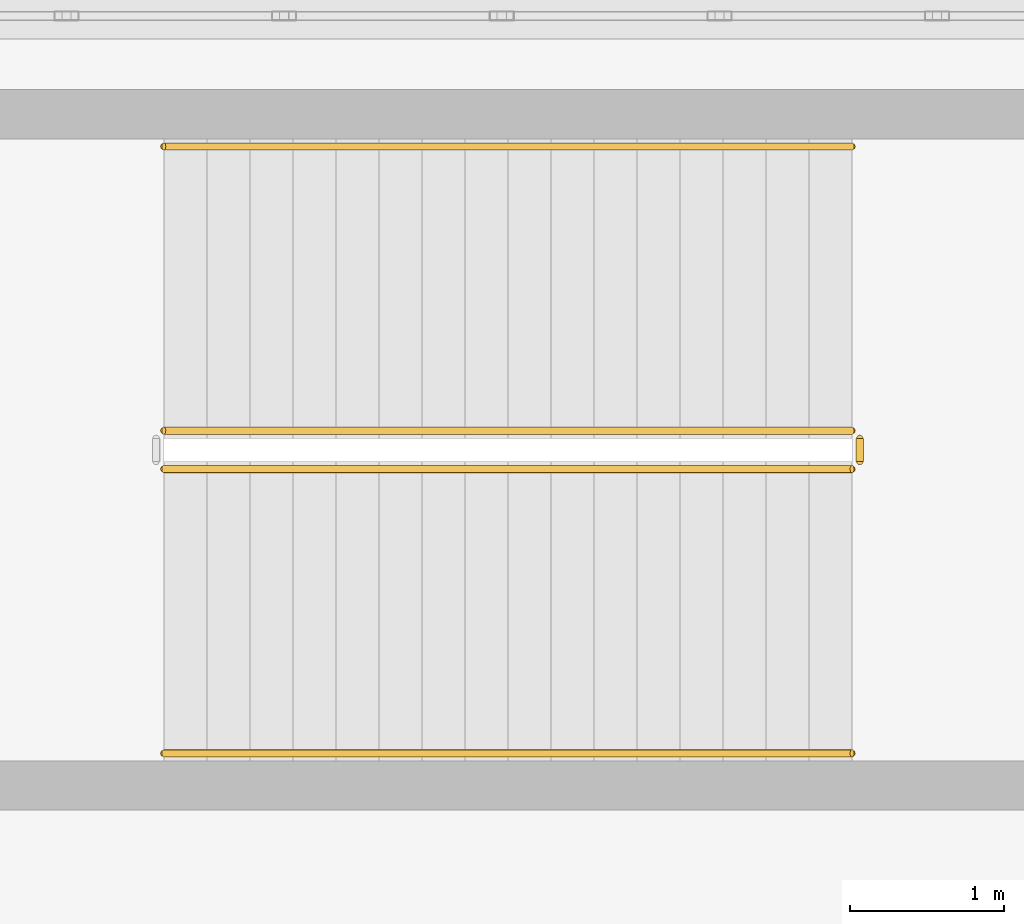
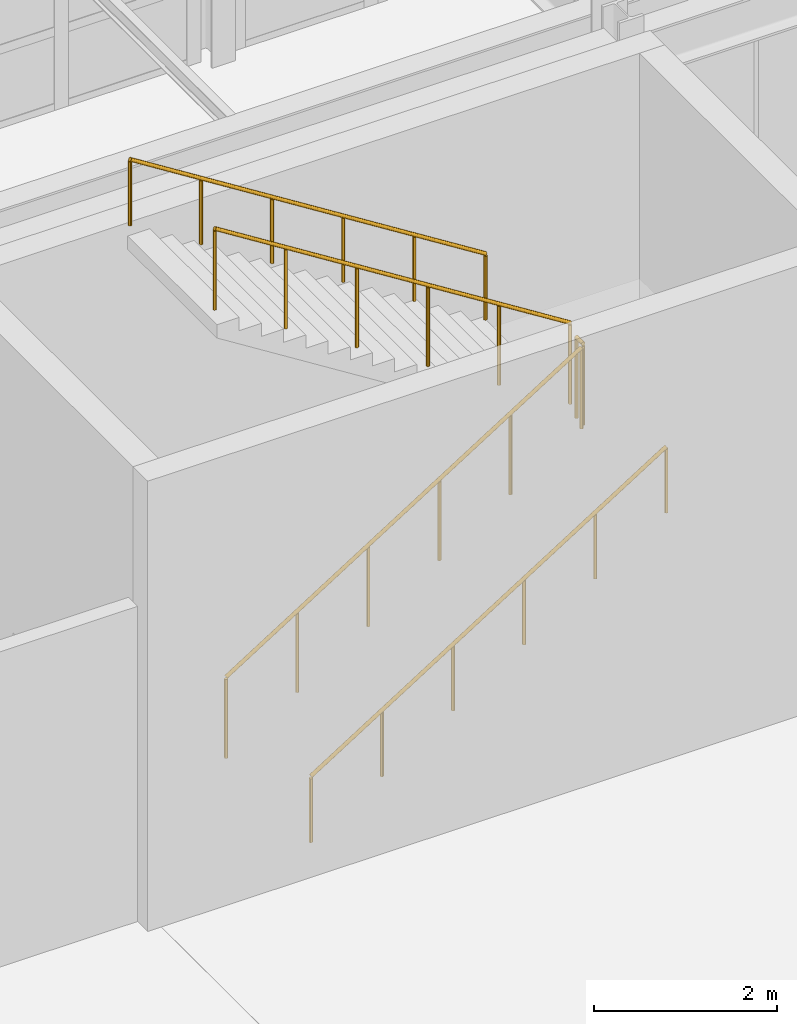
# One storey, part 133 of 146: 5 railings.
"""IFC4 building model written with IfcOpenShell, lengths in metres."""

from ifc_helpers import new_model, si_unit, direction, frame, origin, origin_2d, place, context, subcontext, project, spatial, circle, extrude, material, type_object, element, save


model = new_model("IFC4")

# Units and contexts
model_context = context("Model", 3, precision=1e-05, world=origin(), true_north=direction((0.0, 1.0)))
body_context = subcontext(model_context, "Body", "Model", "MODEL_VIEW")
ifc_project = project(units=[si_unit("LENGTHUNIT", "METRE"), si_unit("AREAUNIT", "SQUARE_METRE"), si_unit("VOLUMEUNIT", "CUBIC_METRE"), si_unit("PLANEANGLEUNIT", "RADIAN"), si_unit("MASSUNIT", "GRAM", prefix="KILO")], contexts=[model_context])

# Site, building, storey
site_placement = place(None, origin())
site = spatial("IfcSite", under=ifc_project, at=site_placement, CompositionType="ELEMENT")
building_placement = place(site_placement, origin())
building = spatial("IfcBuilding", under=site, at=building_placement, Name="Kaldris Quays Convention Centre", CompositionType="ELEMENT")
storey_placement = place(building_placement, origin())
storey = spatial("IfcBuildingStorey", under=building, at=storey_placement, Name="L00", CompositionType="ELEMENT", Elevation=0.0)

# Railings
ifc_material_1 = material(Name="Steel S355J2", Category="steel")
railing_type_1 = type_object("IfcRailingType", Name="INTERIOR GUARDRAIL GR01", PredefinedType="GUARDRAIL", material=ifc_material_1)
railing_1_placement = place(storey_placement, frame((49.300048828125, 43.050048828125, 0.176513671875)))
element("IfcRailing", 1, at=railing_1_placement, inside=storey, type_object=railing_type_1, Name="L00 ST07 Stair Guardrail 1", PredefinedType="GUARDRAIL", context=body_context, shape_type="SweptSolid", body=[
    extrude(circle(Radius=0.02392578125, at=origin_2d()), frame((0.0, 0.0, 1.076171875), z_axis=(0.845997938375, 0.0, 0.533186166611), x_axis=(0.0, 1.0, 0.0)), (0.0, 0.0, 1.0), 5.29541015625),
    extrude(circle(Radius=0.02099609375, at=origin_2d()), origin(), (0.0, 0.0, 1.0), 1.052001953125),
    extrude(circle(Radius=0.02099609375, at=origin_2d()), frame((0.89599609375, 0.0, 0.564697265625)), (0.0, 0.0, 1.0), 1.052001953125),
    extrude(circle(Radius=0.02099609375, at=origin_2d()), frame((1.7919921875, 0.0, 1.12939453125)), (0.0, 0.0, 1.0), 1.052001953125),
    extrude(circle(Radius=0.02099609375, at=origin_2d()), frame((2.68798828125, 0.0, 1.694091796875)), (0.0, 0.0, 1.0), 1.052001953125),
    extrude(circle(Radius=0.02099609375, at=origin_2d()), frame((3.583984375, 0.0, 2.2587890625)), (0.0, 0.0, 1.0), 1.052001953125),
    extrude(circle(Radius=0.02099609375, at=origin_2d()), frame((4.47998046875, 0.0, 2.823486328125)), (0.0, 0.0, 1.0), 1.052001953125),
])
railing_2_placement = place(storey_placement, frame((53.830078125, 43.10009765625, 3.0)))
element("IfcRailing", 2, at=railing_2_placement, inside=storey, type_object=railing_type_1, Name="L00 ST07 Stair Guardrail 2", PredefinedType="GUARDRAIL", context=body_context, shape_type="SweptSolid", body=[
    extrude(circle(Radius=0.02392578125, at=origin_2d()), frame((0.0, 0.0, 1.076171875), z_axis=(0.0, 1.0, 0.0), x_axis=(-1.0, 0.0, 0.0)), (0.0, 0.0, 1.0), 0.14990234375),
    extrude(circle(Radius=0.02099609375, at=origin_2d()), origin(), (0.0, 0.0, 1.0), 1.052001953125),
    extrude(circle(Radius=0.02099609375, at=origin_2d()), frame((0.0, 0.14990234375, 0.0)), (0.0, 0.0, 1.0), 1.052001953125),
])
railing_3_placement = place(storey_placement, frame((53.780029296875, 43.300048828125, 3.176513671875)))
element("IfcRailing", 3, at=railing_3_placement, inside=storey, type_object=railing_type_1, Name="L00 ST07 Stair Guardrail 3", PredefinedType="GUARDRAIL", context=body_context, shape_type="SweptSolid", body=[
    extrude(circle(Radius=0.02392578125, at=origin_2d()), frame((0.0, 0.0, 1.076171875), z_axis=(-0.845997938375, 0.0, 0.533186166611), x_axis=(0.0, -1.0, 0.0)), (0.0, 0.0, 1.0), 5.29541015625),
    extrude(circle(Radius=0.02099609375, at=origin_2d()), origin(), (0.0, 0.0, 1.0), 1.052001953125),
    extrude(circle(Radius=0.02099609375, at=origin_2d()), frame((-0.89599609375, 0.0, 0.564697265625)), (0.0, 0.0, 1.0), 1.052001953125),
    extrude(circle(Radius=0.02099609375, at=origin_2d()), frame((-1.7919921875, 0.0, 1.12939453125)), (0.0, 0.0, 1.0), 1.052001953125),
    extrude(circle(Radius=0.02099609375, at=origin_2d()), frame((-2.68798828125, 0.0, 1.694091796875)), (0.0, 0.0, 1.0), 1.052001953125),
    extrude(circle(Radius=0.02099609375, at=origin_2d()), frame((-3.583984375, 0.0, 2.2587890625)), (0.0, 0.0, 1.0), 1.052001953125),
    extrude(circle(Radius=0.02099609375, at=origin_2d()), frame((-4.47998046875, 0.0, 2.823486328125)), (0.0, 0.0, 1.0), 1.052001953125),
])
ifc_material_2 = material(Name="Stainless steel 1.4301", Category="steel")
railing_type_2 = type_object("IfcRailingType", Name="STAIR HANDRAIL HR01", PredefinedType="HANDRAIL", material=ifc_material_2)
railing_4_placement = place(storey_placement, frame((49.300048828125, 41.199951171875, 0.176513671875)))
element("IfcRailing", 4, at=railing_4_placement, inside=storey, type_object=railing_type_2, Name="L00 ST07 Flight Handrail 1", PredefinedType="HANDRAIL", context=body_context, shape_type="SweptSolid", body=[
    extrude(circle(Radius=0.02392578125, at=origin_2d()), frame((0.0, 0.0, 0.8759765625), z_axis=(0.845997938375, 0.0, 0.533186166611), x_axis=(0.0, 1.0, 0.0)), (0.0, 0.0, 1.0), 5.29541015625),
    extrude(circle(Radius=0.02099609375, at=origin_2d()), origin(), (0.0, 0.0, 1.0), 0.851806640625),
    extrude(circle(Radius=0.02099609375, at=origin_2d()), frame((0.89599609375, 0.0, 0.564697265625)), (0.0, 0.0, 1.0), 0.851806640625),
    extrude(circle(Radius=0.02099609375, at=origin_2d()), frame((1.7919921875, 0.0, 1.12939453125)), (0.0, 0.0, 1.0), 0.851806640625),
    extrude(circle(Radius=0.02099609375, at=origin_2d()), frame((2.68798828125, 0.0, 1.694091796875)), (0.0, 0.0, 1.0), 0.851806640625),
    extrude(circle(Radius=0.02099609375, at=origin_2d()), frame((3.583984375, 0.0, 2.2587890625)), (0.0, 0.0, 1.0), 0.851806640625),
    extrude(circle(Radius=0.02099609375, at=origin_2d()), frame((4.47998046875, 0.0, 2.823486328125)), (0.0, 0.0, 1.0), 0.851806640625),
])
railing_5_placement = place(storey_placement, frame((53.780029296875, 45.14990234375, 3.176513671875)))
element("IfcRailing", 5, at=railing_5_placement, inside=storey, type_object=railing_type_2, Name="L00 ST07 Flight Handrail 2", PredefinedType="HANDRAIL", context=body_context, shape_type="SweptSolid", body=[
    extrude(circle(Radius=0.02392578125, at=origin_2d()), frame((0.0, 0.0, 0.8759765625), z_axis=(-0.845997938375, 0.0, 0.533186166611), x_axis=(0.0, -1.0, 0.0)), (0.0, 0.0, 1.0), 5.29541015625),
    extrude(circle(Radius=0.02099609375, at=origin_2d()), origin(), (0.0, 0.0, 1.0), 0.851806640625),
    extrude(circle(Radius=0.02099609375, at=origin_2d()), frame((-0.89599609375, 0.0, 0.564697265625)), (0.0, 0.0, 1.0), 0.851806640625),
    extrude(circle(Radius=0.02099609375, at=origin_2d()), frame((-1.7919921875, 0.0, 1.12939453125)), (0.0, 0.0, 1.0), 0.851806640625),
    extrude(circle(Radius=0.02099609375, at=origin_2d()), frame((-2.68798828125, 0.0, 1.694091796875)), (0.0, 0.0, 1.0), 0.851806640625),
    extrude(circle(Radius=0.02099609375, at=origin_2d()), frame((-3.583984375, 0.0, 2.2587890625)), (0.0, 0.0, 1.0), 0.851806640625),
    extrude(circle(Radius=0.02099609375, at=origin_2d()), frame((-4.47998046875, 0.0, 2.823486328125)), (0.0, 0.0, 1.0), 0.851806640625),
])

save(model, "model.ifc")
